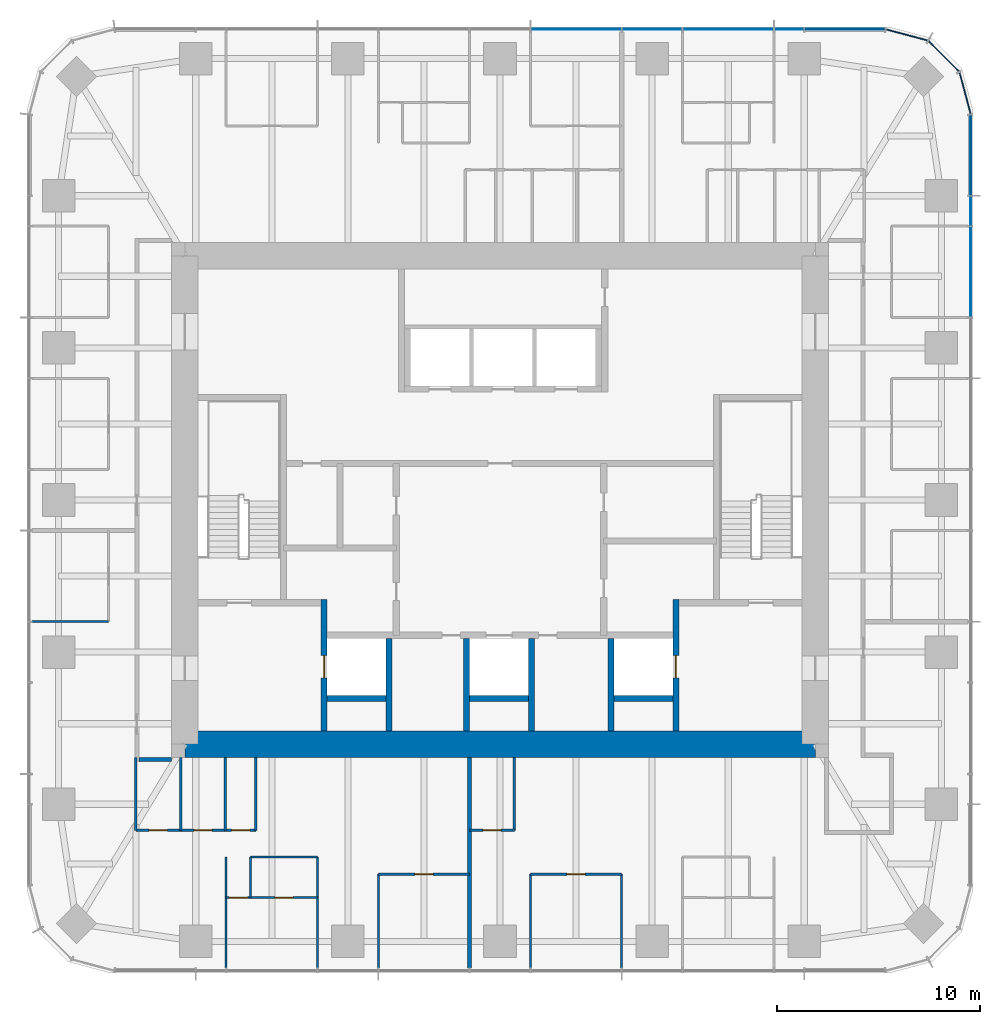
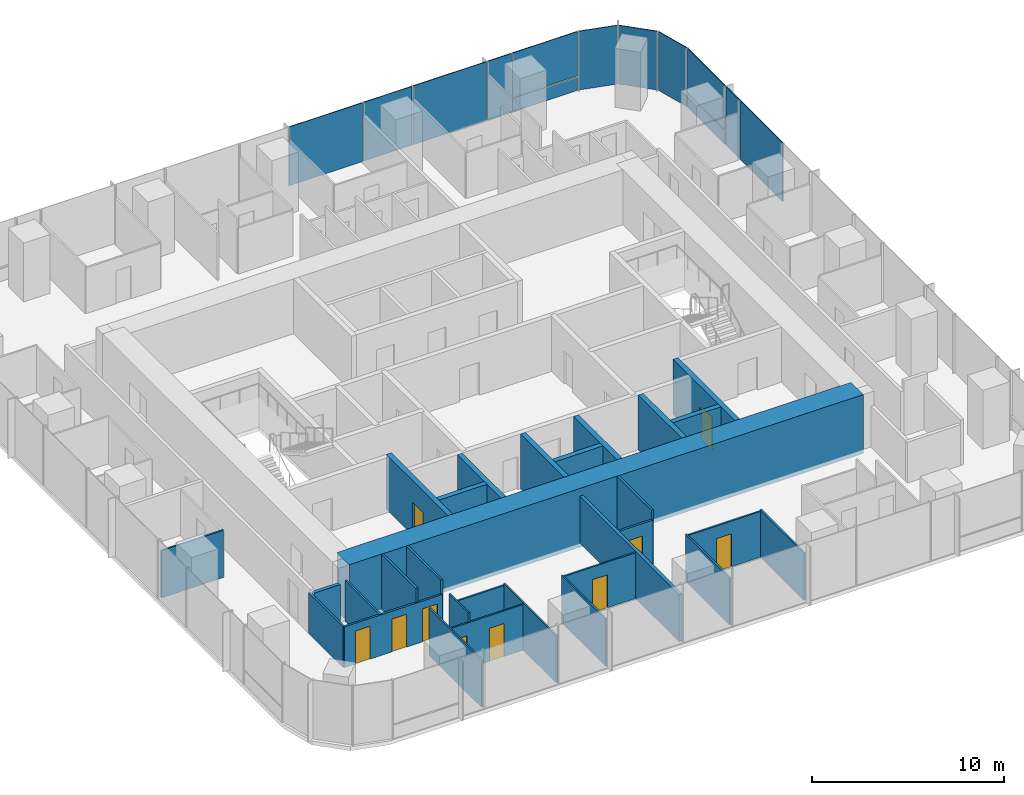
# One storey, part 8 of 12: 30 walls, 13 plates, 10 doors, 10 openings, 3 elements without a shape of their own.
"""IFC4 building model written with IfcOpenShell, lengths in metres."""

from ifc_helpers import new_model, si_unit, direction, frame, frame_2d, origin, origin_2d, place, context, subcontext, project, spatial, rectangle, extrude, material, layer, layer_set, type_object, element, fill, aggregate, save


model = new_model("IFC4")

# Units and contexts
model_context = context("Model", 3, precision=1e-05, world=origin(), true_north=direction((0.0, 1.0)))
body_context = subcontext(model_context, "Body", "Model", "MODEL_VIEW")
ifc_project = project(units=[si_unit("LENGTHUNIT", "METRE"), si_unit("AREAUNIT", "SQUARE_METRE"), si_unit("VOLUMEUNIT", "CUBIC_METRE"), si_unit("PLANEANGLEUNIT", "RADIAN"), si_unit("MASSUNIT", "GRAM", prefix="KILO")], contexts=[model_context])

# Site, building, storey
site_placement = place(None, origin())
site = spatial("IfcSite", under=ifc_project, at=site_placement, CompositionType="ELEMENT")
building_placement = place(site_placement, origin())
building = spatial("IfcBuilding", under=site, at=building_placement, Name="Khuree Lantern Residences", CompositionType="ELEMENT")
storey_placement = place(building_placement, frame((0.0, 0.0, 330.75)))
storey = spatial("IfcBuildingStorey", under=building, at=storey_placement, Name="L83", CompositionType="ELEMENT", Elevation=330.75)

# Curtain wall, plates
ifc_material_1 = material(Name="Bronze anodised aluminium", Category="aluminium")
curtain_wall_type_1 = type_object("IfcCurtainWallType", Name="CW-T2 TOWER CORNER CURTAIN WALL", PredefinedType="USERDEFINED", material=ifc_material_1)
curtain_wall_1_placement = place(storey_placement, origin())
curtain_wall_1 = element("IfcCurtainWall", 1, at=curtain_wall_1_placement, inside=storey, type_object=curtain_wall_type_1, Name="L83 NORTH-EAST CORNER CURTAIN WALL", ObjectType="Faceted corner curtain wall", PredefinedType="USERDEFINED")
ifc_material_2 = material(Name="Bronze tinted triple glazing", Category="glass")
ifc_layer_1 = layer(ifc_material_2, 0.048095703125)
ifc_layer_set_1 = layer_set([ifc_layer_1], Name="FACET PANEL P4")
plate_type_1 = type_object("IfcPlateType", Name="FACET PANEL P4", PredefinedType="CURTAIN_PANEL", material=ifc_layer_set_1)
plate_1_placement = place(storey_placement, frame((22.869140625, 19.998046875, 0.0), z_axis=(0.0, 0.0, 1.0), x_axis=(-0.2588189146, 0.965925861257, 0.0)))
plate_1 = element("IfcPlate", 2, at=plate_1_placement, type_object=plate_type_1, Name="L83 NORTH-EAST CORNER PANEL 15.1", PredefinedType="CURTAIN_PANEL", context=body_context, shape_type="SweptSolid", body=[
    extrude(rectangle(XDim=2.09814453125, YDim=0.048095703125, at=origin_2d()), origin(), (0.0, 0.0, 1.0), 3.75),
])
plate_2_placement = place(storey_placement, frame((21.818603515625, 21.818603515625, 0.0), z_axis=(0.0, 0.0, 1.0), x_axis=(-0.707106781187, 0.707106781187, 0.0)))
plate_2 = element("IfcPlate", 3, at=plate_2_placement, type_object=plate_type_1, Name="L83 NORTH-EAST CORNER PANEL 16.1", PredefinedType="CURTAIN_PANEL", context=body_context, shape_type="SweptSolid", body=[
    extrude(rectangle(XDim=2.093994140625, YDim=0.048095703125, at=origin_2d()), origin(), (0.0, 0.0, 1.0), 3.75),
])
plate_3_placement = place(storey_placement, frame((19.998046875, 22.869140625, 0.0), z_axis=(0.0, 0.0, 1.0), x_axis=(-0.965925861257, 0.2588189146, 0.0)))
plate_3 = element("IfcPlate", 4, at=plate_3_placement, type_object=plate_type_1, Name="L83 NORTH-EAST CORNER PANEL 17.1", PredefinedType="CURTAIN_PANEL", context=body_context, shape_type="SweptSolid", body=[
    extrude(rectangle(XDim=2.09814453125, YDim=0.048095703125, at=origin_2d()), origin(), (0.0, 0.0, 1.0), 3.75),
])
aggregate(curtain_wall_1, [plate_1, plate_2, plate_3])

# Curtain wall, plate
curtain_wall_type_2 = type_object("IfcCurtainWallType", Name="CW-T1 TOWER FACE CURTAIN WALL", PredefinedType="USERDEFINED", material=ifc_material_1)
curtain_wall_2_placement = place(storey_placement, origin())
curtain_wall_2 = element("IfcCurtainWall", 5, at=curtain_wall_2_placement, inside=storey, type_object=curtain_wall_type_2, Name="L83 EAST FACE CURTAIN WALL", ObjectType="Stick-built curtain wall", PredefinedType="USERDEFINED")
ifc_material_3 = material(Name="Bronze tinted triple glazing with a ceramic-fritted spandrel band", Category="glass")
ifc_layer_2 = layer(ifc_material_3, 0.048095703125)
ifc_layer_set_2 = layer_set([ifc_layer_2], Name="FIXED LIGHT PANEL P11")
plate_type_2 = type_object("IfcPlateType", Name="FIXED LIGHT PANEL P11", PredefinedType="CURTAIN_PANEL", material=ifc_layer_set_2)
plate_4_placement = place(storey_placement, frame((23.14990234375, 11.219970703125, 0.0), z_axis=(0.0, 0.0, 1.0), x_axis=(0.0, 1.0, 0.0)))
plate_4 = element("IfcPlate", 6, at=plate_4_placement, type_object=plate_type_2, Name="L83 EAST FACE PANEL 12.1", PredefinedType="CURTAIN_PANEL", context=body_context, shape_type="SweptSolid", body=[
    extrude(rectangle(XDim=4.423095703125, YDim=0.048095703125, at=origin_2d()), origin(), (0.0, 0.0, 1.0), 3.75),
])

# Curtain wall, plates
curtain_wall_3_placement = place(storey_placement, origin())
curtain_wall_3 = element("IfcCurtainWall", 7, at=curtain_wall_3_placement, inside=storey, type_object=curtain_wall_type_2, Name="L83 NORTH FACE CURTAIN WALL", ObjectType="Stick-built curtain wall", PredefinedType="USERDEFINED")
plate_5_placement = place(storey_placement, frame((11.219970703125, 23.14990234375, 0.0), z_axis=(0.0, 0.0, 1.0), x_axis=(-1.0, 0.0, 0.0)))
plate_5 = element("IfcPlate", 8, at=plate_5_placement, type_object=plate_type_2, Name="L83 NORTH FACE PANEL 20.1", PredefinedType="CURTAIN_PANEL", context=body_context, shape_type="SweptSolid", body=[
    extrude(rectangle(XDim=4.423095703125, YDim=0.048095703125, at=origin_2d()), origin(), (0.0, 0.0, 1.0), 3.75),
])
plate_6_placement = place(storey_placement, frame((3.739990234375, 23.14990234375, 0.0), z_axis=(0.0, 0.0, 1.0), x_axis=(-1.0, 0.0, 0.0)))
plate_6 = element("IfcPlate", 9, at=plate_6_placement, type_object=plate_type_2, Name="L83 NORTH FACE PANEL 22.1", PredefinedType="CURTAIN_PANEL", context=body_context, shape_type="SweptSolid", body=[
    extrude(rectangle(XDim=4.423095703125, YDim=0.048095703125, at=origin_2d()), origin(), (0.0, 0.0, 1.0), 3.75),
])
ifc_material_4 = material(Name="Bronze tinted triple glazing, two aluminium-framed sashes in one frame", Category="aluminium")
ifc_layer_3 = layer(ifc_material_4, 0.048095703125)
ifc_layer_set_3 = layer_set([ifc_layer_3], Name="SASH PAIR PANEL P12")
plate_type_3 = type_object("IfcPlateType", Name="SASH PAIR PANEL P12", PredefinedType="CURTAIN_PANEL", material=ifc_layer_set_3)
plate_7_placement = place(storey_placement, frame((7.47998046875, 23.14990234375, 0.0), z_axis=(0.0, 0.0, 1.0), x_axis=(-1.0, 0.0, 0.0)))
plate_7 = element("IfcPlate", 10, at=plate_7_placement, type_object=plate_type_3, Name="L83 NORTH FACE PANEL 21.1", PredefinedType="CURTAIN_PANEL", context=body_context, shape_type="SweptSolid", body=[
    extrude(rectangle(XDim=2.927001953125, YDim=0.048095703125, at=origin_2d()), origin(), (0.0, 0.0, 1.0), 3.75),
])

# Plate
ifc_material_5 = material(Name="Bronze tinted triple glazing, aluminium-framed sash", Category="aluminium")
ifc_layer_4 = layer(ifc_material_5, 0.048095703125)
ifc_layer_set_4 = layer_set([ifc_layer_4], Name="SASH PANEL P3")
plate_type_4 = type_object("IfcPlateType", Name="SASH PANEL P3", PredefinedType="CURTAIN_PANEL", material=ifc_layer_set_4)
plate_8_placement = place(storey_placement, frame((23.14990234375, 14.2119140625, 0.0), z_axis=(0.0, 0.0, 1.0), x_axis=(0.0, 1.0, 0.0)))
plate_8 = element("IfcPlate", 11, at=plate_8_placement, type_object=plate_type_4, Name="L83 EAST FACE PANEL 13.1", PredefinedType="CURTAIN_PANEL", context=body_context, shape_type="SweptSolid", body=[
    extrude(rectangle(XDim=1.430908203125, YDim=0.048095703125, at=origin_2d()), origin(), (0.0, 0.0, 1.0), 3.75),
])

plate_9_placement = place(storey_placement, frame((14.2119140625, 23.14990234375, 0.0), z_axis=(0.0, 0.0, 1.0), x_axis=(-1.0, 0.0, 0.0)))
plate_9 = element("IfcPlate", 12, at=plate_9_placement, type_object=plate_type_4, Name="L83 NORTH FACE PANEL 19.1", PredefinedType="CURTAIN_PANEL", context=body_context, shape_type="SweptSolid", body=[
    extrude(rectangle(XDim=1.430908203125, YDim=0.048095703125, at=origin_2d()), origin(), (0.0, 0.0, 1.0), 3.75),
])

ifc_material_6 = material(Name="Bronze anodised aluminium insulated spandrel", Category="aluminium")
ifc_layer_5 = layer(ifc_material_6, 0.06005859375)
ifc_layer_set_5 = layer_set([ifc_layer_5], Name="SPANDREL PANEL P2")
plate_type_5 = type_object("IfcPlateType", Name="SPANDREL PANEL P2", PredefinedType="CURTAIN_PANEL", material=ifc_layer_set_5)
plate_10_placement = place(storey_placement, frame((23.14990234375, 16.952880859375, 0.0), z_axis=(0.0, 0.0, 1.0), x_axis=(0.0, 1.0, 0.0)))
plate_10 = element("IfcPlate", 13, at=plate_10_placement, type_object=plate_type_5, Name="L83 EAST FACE PANEL 14.1", PredefinedType="CURTAIN_PANEL", context=body_context, shape_type="SweptSolid", body=[
    extrude(rectangle(XDim=3.920654296875, YDim=0.06005859375, at=origin_2d()), origin(), (0.0, 0.0, 1.0), 0.867431640625),
])

plate_11_placement = place(storey_placement, frame((16.952880859375, 23.14990234375, 0.0), z_axis=(0.0, 0.0, 1.0), x_axis=(-1.0, 0.0, 0.0)))
plate_11 = element("IfcPlate", 14, at=plate_11_placement, type_object=plate_type_5, Name="L83 NORTH FACE PANEL 18.1", PredefinedType="CURTAIN_PANEL", context=body_context, shape_type="SweptSolid", body=[
    extrude(rectangle(XDim=3.920654296875, YDim=0.06005859375, at=origin_2d()), origin(), (0.0, 0.0, 1.0), 0.867431640625),
])

ifc_layer_6 = layer(ifc_material_2, 0.048095703125)
ifc_layer_set_6 = layer_set([ifc_layer_6], Name="VISION PANEL P1")
plate_type_6 = type_object("IfcPlateType", Name="VISION PANEL P1", PredefinedType="CURTAIN_PANEL", material=ifc_layer_set_6)
plate_12_placement = place(storey_placement, frame((23.14990234375, 16.953369140625, 0.9326171875), z_axis=(0.0, 0.0, 1.0), x_axis=(0.0, 1.0, 0.0)))
plate_12 = element("IfcPlate", 15, at=plate_12_placement, type_object=plate_type_6, Name="L83 EAST FACE PANEL 14.2", PredefinedType="CURTAIN_PANEL", context=body_context, shape_type="SweptSolid", body=[
    extrude(rectangle(XDim=3.921630859375, YDim=0.048095703125, at=origin_2d()), origin(), (0.0, 0.0, 1.0), 2.8173828125),
])

aggregate(curtain_wall_2, [plate_4, plate_8, plate_10, plate_12])

plate_13_placement = place(storey_placement, frame((16.953369140625, 23.14990234375, 0.9326171875), z_axis=(0.0, 0.0, 1.0), x_axis=(-1.0, 0.0, 0.0)))
plate_13 = element("IfcPlate", 16, at=plate_13_placement, type_object=plate_type_6, Name="L83 NORTH FACE PANEL 18.2", PredefinedType="CURTAIN_PANEL", context=body_context, shape_type="SweptSolid", body=[
    extrude(rectangle(XDim=3.921630859375, YDim=0.048095703125, at=origin_2d()), origin(), (0.0, 0.0, 1.0), 2.8173828125),
])

aggregate(curtain_wall_3, [plate_11, plate_13, plate_9, plate_5, plate_7, plate_6])

# Wall, openings, doors
ifc_material_7 = material(Name="Moisture-resistant gypsum board on steel studs", Category="steel")
ifc_layer_7 = layer(ifc_material_7, 0.125)
ifc_layer_set_7 = layer_set([ifc_layer_7], Name="BATHROOM WALL BTW125")
wall_type_1 = type_object("IfcWallType", Name="BATHROOM WALL BTW125", PredefinedType="PARTITIONING", material=ifc_layer_set_7)
wall_1_placement = place(storey_placement, frame((-17.89990234375, -16.246337890625, 0.0), z_axis=(0.0, 0.0, 1.0), x_axis=(1.0, 0.0, 0.0)))
wall_1 = element("IfcWall", 17, at=wall_1_placement, inside=storey, type_object=wall_type_1, Name="L83 BATHROOM WALL 03", PredefinedType="PARTITIONING", context=body_context, shape_type="SweptSolid", body=[
    extrude(rectangle(XDim=5.89990234375, YDim=0.125, at=frame_2d((2.949951171875, 0.0))), origin(), (0.0, 0.0, 1.0), 2.60009765625),
])
opening_1_placement = place(wall_1_placement, frame((0.64990234375, 0.0, 0.0)))
opening_1 = element("IfcOpeningElement", 18, at=opening_1_placement, cuts=wall_1, Name="Opening 83-047", PredefinedType="OPENING", context=body_context, shape_type="SweptSolid", body=[
    extrude(rectangle(XDim=0.89990234375, YDim=2.10009765625, at=frame_2d((0.449951171875, 1.050048828125))), frame((0.0, 0.072509765625, 0.0), z_axis=(0.0, -1.0, 0.0), x_axis=(1.0, 0.0, 0.0)), (0.0, 0.0, 1.0), 0.14501953125),
])
opening_2_placement = place(wall_1_placement, frame((2.85009765625, 0.0, 0.0)))
opening_2 = element("IfcOpeningElement", 19, at=opening_2_placement, cuts=wall_1, Name="Opening 83-048", PredefinedType="OPENING", context=body_context, shape_type="SweptSolid", body=[
    extrude(rectangle(XDim=0.89990234375, YDim=2.10009765625, at=frame_2d((0.449951171875, 1.050048828125))), frame((0.0, 0.072509765625, 0.0), z_axis=(0.0, -1.0, 0.0), x_axis=(1.0, 0.0, 0.0)), (0.0, 0.0, 1.0), 0.14501953125),
])
opening_3_placement = place(wall_1_placement, frame((4.699951171875, 0.0, 0.0)))
opening_3 = element("IfcOpeningElement", 20, at=opening_3_placement, cuts=wall_1, Name="Opening 83-049", PredefinedType="OPENING", context=body_context, shape_type="SweptSolid", body=[
    extrude(rectangle(XDim=0.89990234375, YDim=2.10009765625, at=frame_2d((0.449951171875, 1.050048828125))), frame((0.0, 0.072509765625, 0.0), z_axis=(0.0, -1.0, 0.0), x_axis=(1.0, 0.0, 0.0)), (0.0, 0.0, 1.0), 0.14501953125),
])
ifc_material_8 = material(Name="Timber door leaf in hardwood frame", Category="wood")
door_type_1 = type_object("IfcDoorType", Name="BATHROOM DOOR 900X2100", OperationType="SINGLE_SWING_LEFT", PredefinedType="DOOR", material=ifc_material_8)
door_1_placement = place(opening_1_placement, origin())
door_1 = element("IfcDoor", 21, at=door_1_placement, inside=storey, type_object=door_type_1, Name="Bathroom door 83-047", OperationType="SINGLE_SWING_LEFT", OverallHeight=2.10009765625, OverallWidth=0.89990234375, PredefinedType="DOOR", context=body_context, shape_type="SweptSolid", body=[
    extrude(rectangle(XDim=0.89990234375, YDim=2.10009765625, at=frame_2d((0.449951171875, 1.050048828125))), frame((0.0, 0.02490234375, 0.0), z_axis=(0.0, -1.0, 0.0), x_axis=(1.0, 0.0, 0.0)), (0.0, 0.0, 1.0), 0.050048828125),
])
fill(opening_1, door_1)
door_2_placement = place(opening_2_placement, origin())
door_2 = element("IfcDoor", 22, at=door_2_placement, inside=storey, type_object=door_type_1, Name="Bathroom door 83-048", OperationType="SINGLE_SWING_LEFT", OverallHeight=2.10009765625, OverallWidth=0.89990234375, PredefinedType="DOOR", context=body_context, shape_type="SweptSolid", body=[
    extrude(rectangle(XDim=0.89990234375, YDim=2.10009765625, at=frame_2d((0.449951171875, 1.050048828125))), frame((0.0, 0.02490234375, 0.0), z_axis=(0.0, -1.0, 0.0), x_axis=(1.0, 0.0, 0.0)), (0.0, 0.0, 1.0), 0.050048828125),
])
fill(opening_2, door_2)
door_type_2 = type_object("IfcDoorType", Name="WC DOOR 900X2100", OperationType="SINGLE_SWING_LEFT", PredefinedType="DOOR", material=ifc_material_8)
door_3_placement = place(opening_3_placement, origin())
door_3 = element("IfcDoor", 23, at=door_3_placement, inside=storey, type_object=door_type_2, Name="WC door 83-049", OperationType="SINGLE_SWING_LEFT", OverallHeight=2.10009765625, OverallWidth=0.89990234375, PredefinedType="DOOR", context=body_context, shape_type="SweptSolid", body=[
    extrude(rectangle(XDim=0.89990234375, YDim=2.10009765625, at=frame_2d((0.449951171875, 1.050048828125))), frame((0.0, 0.02490234375, 0.0), z_axis=(0.0, -1.0, 0.0), x_axis=(1.0, 0.0, 0.0)), (0.0, 0.0, 1.0), 0.050048828125),
])
fill(opening_3, door_3)

# Walls
for number, where, z_axis, x_axis, name in (
    (24, (-17.89990234375, -12.64990234375, 0.0), (0.0, 0.0, 1.0), (0.0, -1.0, 0.0), "L83 BATHROOM WALL 03"),
    (25, (-15.699951171875, -12.64990234375, 0.0), (0.0, 0.0, 1.0), (0.0, -1.0, 0.0), "L83 BATHROOM WALL 03"),
):
    element("IfcWall", number, at=place(storey_placement, frame(where, z_axis=z_axis, x_axis=x_axis)), inside=storey, type_object=wall_type_1, Name=name, PredefinedType="PARTITIONING", context=body_context, shape_type="SweptSolid", body=[
        extrude(rectangle(XDim=3.596435546875, YDim=0.125, at=frame_2d((1.79833984375, 0.0))), origin(), (0.0, 0.0, 1.0), 2.60009765625),
    ])
for number, where, z_axis, x_axis, name in (
    (26, (-13.5, -12.64990234375, 0.0), (0.0, 0.0, 1.0), (0.0, -1.0, 0.0), "L83 BATHROOM WALL 03"),
    (27, (-12.0, -12.64990234375, 0.0), (0.0, 0.0, 1.0), (0.0, -1.0, 0.0), "L83 BATHROOM WALL 03"),
):
    element("IfcWall", number, at=place(storey_placement, frame(where, z_axis=z_axis, x_axis=x_axis)), inside=storey, type_object=wall_type_1, Name=name, PredefinedType="PARTITIONING", context=body_context, shape_type="SweptSolid", body=[
        extrude(rectangle(XDim=3.596435546875, YDim=0.125, at=frame_2d((1.79833984375, 0.0))), origin(), (0.0, 0.0, 1.0), 3.5),
    ])

# Wall, opening, door
wall_2_placement = place(storey_placement, frame((-1.49609375, -16.246337890625, 0.0), z_axis=(0.0, 0.0, 1.0), x_axis=(1.0, 0.0, 0.0)))
wall_2 = element("IfcWall", 28, at=wall_2_placement, inside=storey, type_object=wall_type_1, Name="L83 BATHROOM WALL 04", PredefinedType="PARTITIONING", context=body_context, shape_type="SweptSolid", body=[
    extrude(rectangle(XDim=2.2001953125, YDim=0.125, at=frame_2d((1.10009765625, 0.0))), origin(), (0.0, 0.0, 1.0), 2.89990234375),
])
opening_4_placement = place(wall_2_placement, frame((0.64990234375, 0.0, 0.0)))
opening_4 = element("IfcOpeningElement", 29, at=opening_4_placement, cuts=wall_2, Name="Opening 83-054", PredefinedType="OPENING", context=body_context, shape_type="SweptSolid", body=[
    extrude(rectangle(XDim=0.89990234375, YDim=2.10009765625, at=frame_2d((0.449951171875, 1.050048828125))), frame((0.0, 0.072509765625, 0.0), z_axis=(0.0, -1.0, 0.0), x_axis=(1.0, 0.0, 0.0)), (0.0, 0.0, 1.0), 0.14501953125),
])
door_4_placement = place(opening_4_placement, origin())
door_4 = element("IfcDoor", 30, at=door_4_placement, inside=storey, type_object=door_type_1, Name="Bathroom door 83-054", OperationType="SINGLE_SWING_LEFT", OverallHeight=2.10009765625, OverallWidth=0.89990234375, PredefinedType="DOOR", context=body_context, shape_type="SweptSolid", body=[
    extrude(rectangle(XDim=0.89990234375, YDim=2.10009765625, at=frame_2d((0.449951171875, 1.050048828125))), frame((0.0, 0.02490234375, 0.0), z_axis=(0.0, -1.0, 0.0), x_axis=(1.0, 0.0, 0.0)), (0.0, 0.0, 1.0), 0.050048828125),
])
fill(opening_4, door_4)

# Wall
wall_3_placement = place(storey_placement, frame((0.7041015625, -12.64990234375, 0.0), z_axis=(0.0, 0.0, 1.0), x_axis=(0.0, -1.0, 0.0)))
element("IfcWall", 31, at=wall_3_placement, inside=storey, type_object=wall_type_1, Name="L83 BATHROOM WALL 04", PredefinedType="PARTITIONING", context=body_context, shape_type="SweptSolid", body=[
    extrude(rectangle(XDim=3.596435546875, YDim=0.125, at=frame_2d((1.79833984375, 0.0))), origin(), (0.0, 0.0, 1.0), 3.5),
])

# Wall, opening, door
ifc_material_9 = material(Name="Dense concrete blockwork", Category="masonry")
ifc_layer_8 = layer(ifc_material_9, 0.300048828125)
ifc_layer_set_8 = layer_set([ifc_layer_8], Name="CORE PARTITION WALL CPW300 EI 120")
wall_type_2 = type_object("IfcWallType", Name="CORE PARTITION WALL CPW300 EI 120", PredefinedType="PARTITIONING", material=ifc_layer_set_8)
wall_4_placement = place(storey_placement, frame((-8.64990234375, -11.35009765625, 0.0), z_axis=(0.0, 0.0, 1.0), x_axis=(0.0, 1.0, 0.0)))
wall_4 = element("IfcWall", 32, at=wall_4_placement, inside=storey, type_object=wall_type_2, Name="L83 CORE WALL FL1W", PredefinedType="PARTITIONING", context=body_context, shape_type="SweptSolid", body=[
    extrude(rectangle(XDim=6.4501953125, YDim=0.300048828125, at=frame_2d((3.22509765625, 0.0))), origin(), (0.0, 0.0, 1.0), 3.5),
])
opening_5_placement = place(wall_4_placement, frame((2.60009765625, 0.0, 0.0)))
opening_5 = element("IfcOpeningElement", 33, at=opening_5_placement, cuts=wall_4, Name="Opening 83-007", PredefinedType="OPENING", context=body_context, shape_type="SweptSolid", body=[
    extrude(rectangle(XDim=1.10009765625, YDim=2.10009765625, at=frame_2d((0.550048828125, 1.050048828125))), frame((0.0, 0.16015625, 0.0), z_axis=(0.0, -1.0, 0.0), x_axis=(1.0, 0.0, 0.0)), (0.0, 0.0, 1.0), 0.320068359375),
])
ifc_material_10 = material(Name="Stainless steel lift landing door", Category="steel")
door_type_3 = type_object("IfcDoorType", Name="LIFT LANDING DOOR 1100X2100 E 120", OperationType="DOUBLE_DOOR_SLIDING", PredefinedType="DOOR", material=ifc_material_10)
door_5_placement = place(opening_5_placement, origin())
door_5 = element("IfcDoor", 34, at=door_5_placement, inside=storey, type_object=door_type_3, Name="Landing door FL1 83-007", OperationType="DOUBLE_DOOR_SLIDING", OverallHeight=2.10009765625, OverallWidth=1.10009765625, PredefinedType="DOOR", context=body_context, shape_type="SweptSolid", body=[
    extrude(rectangle(XDim=1.10009765625, YDim=2.10009765625, at=frame_2d((0.550048828125, 1.050048828125))), frame((0.0, 0.02490234375, 0.0), z_axis=(0.0, -1.0, 0.0), x_axis=(1.0, 0.0, 0.0)), (0.0, 0.0, 1.0), 0.050048828125),
])
fill(opening_5, door_5)

wall_5_placement = place(storey_placement, frame((8.64990234375, -11.35009765625, 0.0), z_axis=(0.0, 0.0, 1.0), x_axis=(0.0, 1.0, 0.0)))
wall_5 = element("IfcWall", 35, at=wall_5_placement, inside=storey, type_object=wall_type_2, Name="L83 CORE WALL FL2E", PredefinedType="PARTITIONING", context=body_context, shape_type="SweptSolid", body=[
    extrude(rectangle(XDim=6.4501953125, YDim=0.300048828125, at=frame_2d((3.22509765625, 0.0))), origin(), (0.0, 0.0, 1.0), 3.5),
])
opening_6_placement = place(wall_5_placement, frame((2.60009765625, 0.0, 0.0)))
opening_6 = element("IfcOpeningElement", 36, at=opening_6_placement, cuts=wall_5, Name="Opening 83-008", PredefinedType="OPENING", context=body_context, shape_type="SweptSolid", body=[
    extrude(rectangle(XDim=1.10009765625, YDim=2.10009765625, at=frame_2d((0.550048828125, 1.050048828125))), frame((0.0, 0.16015625, 0.0), z_axis=(0.0, -1.0, 0.0), x_axis=(1.0, 0.0, 0.0)), (0.0, 0.0, 1.0), 0.320068359375),
])
door_6_placement = place(opening_6_placement, origin())
door_6 = element("IfcDoor", 37, at=door_6_placement, inside=storey, type_object=door_type_3, Name="Landing door FL2 83-008", OperationType="DOUBLE_DOOR_SLIDING", OverallHeight=2.10009765625, OverallWidth=1.10009765625, PredefinedType="DOOR", context=body_context, shape_type="SweptSolid", body=[
    extrude(rectangle(XDim=1.10009765625, YDim=2.10009765625, at=frame_2d((0.550048828125, 1.050048828125))), frame((0.0, 0.02490234375, 0.0), z_axis=(0.0, -1.0, 0.0), x_axis=(1.0, 0.0, 0.0)), (0.0, 0.0, 1.0), 0.050048828125),
])
fill(opening_6, door_6)

# Walls
for number, where, z_axis, x_axis, name in (
    (38, (-5.449951171875, -11.35009765625, 0.0), (0.0, 0.0, 1.0), (0.0, 1.0, 0.0), "L83 CORE WALL FL1E"),
    (39, (-1.64990234375, -11.35009765625, 0.0), (0.0, 0.0, 1.0), (0.0, 1.0, 0.0), "L83 CORE WALL SL1W"),
    (40, (1.550048828125, -11.35009765625, 0.0), (0.0, 0.0, 1.0), (0.0, 1.0, 0.0), "L83 CORE WALL SL1E"),
    (41, (5.449951171875, -11.35009765625, 0.0), (0.0, 0.0, 1.0), (0.0, 1.0, 0.0), "L83 CORE WALL FL2W"),
):
    element("IfcWall", number, at=place(storey_placement, frame(where, z_axis=z_axis, x_axis=x_axis)), inside=storey, type_object=wall_type_2, Name=name, PredefinedType="PARTITIONING", context=body_context, shape_type="SweptSolid", body=[
        extrude(rectangle(XDim=4.550048828125, YDim=0.300048828125, at=frame_2d((2.27490234375, 0.0))), origin(), (0.0, 0.0, 1.0), 3.5),
    ])
for number, where, z_axis, x_axis, name in (
    (42, (-8.5, -9.75, 0.0), (0.0, 0.0, 1.0), (1.0, 0.0, 0.0), "L83 CORE WALL FL1S"),
    (43, (-1.5, -9.75, 0.0), (0.0, 0.0, 1.0), (1.0, 0.0, 0.0), "L83 CORE WALL SL1S"),
    (44, (5.60009765625, -9.75, 0.0), (0.0, 0.0, 1.0), (1.0, 0.0, 0.0), "L83 CORE WALL FL2S"),
):
    element("IfcWall", number, at=place(storey_placement, frame(where, z_axis=z_axis, x_axis=x_axis)), inside=storey, type_object=wall_type_2, Name=name, PredefinedType="PARTITIONING", context=body_context, shape_type="SweptSolid", body=[
        extrude(rectangle(XDim=2.89990234375, YDim=0.300048828125, at=frame_2d((1.449951171875, 0.0))), origin(), (0.0, 0.0, 1.0), 3.5),
    ])
ifc_material_11 = material(Name="Gypsum board on steel studs", Category="steel")
ifc_layer_9 = layer(ifc_material_11, 0.199951171875)
ifc_layer_set_9 = layer_set([ifc_layer_9], Name="CORRIDOR WALL CRW200 EI 60")
wall_type_3 = type_object("IfcWallType", Name="CORRIDOR WALL CRW200 EI 60", PredefinedType="PARTITIONING", material=ifc_layer_set_9)
wall_6_placement = place(storey_placement, frame((-16.14990234375, -12.75, 0.0), z_axis=(0.0, 0.0, 1.0), x_axis=(-1.0, 0.0, 0.0)))
element("IfcWall", 45, at=wall_6_placement, inside=storey, type_object=wall_type_3, Name="L83 WEST CORRIDOR SOUTH END WALL", PredefinedType="PARTITIONING", context=body_context, shape_type="SweptSolid", body=[
    extrude(rectangle(XDim=1.60009765625, YDim=0.199951171875, at=frame_2d((0.800048828125, 0.0))), origin(), (0.0, 0.0, 1.0), 2.60009765625),
])
ifc_material_12 = material(Name="Concrete C50/60", Category="concrete")
ifc_layer_10 = layer(ifc_material_12, 1.300048828125)
ifc_layer_set_10 = layer_set([ifc_layer_10], Name="CW1300-C50 CORE WALL C50 1300")
wall_type_4 = type_object("IfcWallType", Name="CW1300-C50 CORE WALL C50 1300", PredefinedType="SHEAR", material=ifc_layer_set_10)
wall_7_placement = place(storey_placement, frame((-15.5, -12.0, -0.25), z_axis=(0.0, 0.0, 1.0), x_axis=(1.0, 0.0, 0.0)))
element("IfcWall", 46, at=wall_7_placement, inside=storey, type_object=wall_type_4, Name="Core wall S", PredefinedType="SHEAR", context=body_context, shape_type="SweptSolid", body=[
    extrude(rectangle(XDim=31.0, YDim=1.300048828125, at=frame_2d((15.5, 0.0))), origin(), (0.0, 0.0, 1.0), 3.75),
])
ifc_layer_11 = layer(ifc_material_11, 0.199951171875)
ifc_layer_set_11 = layer_set([ifc_layer_11], Name="DEMISING WALL DMW200 EI 90")
wall_type_5 = type_object("IfcWallType", Name="DEMISING WALL DMW200 EI 90", PredefinedType="PARTITIONING", material=ifc_layer_set_11)
wall_8_placement = place(storey_placement, frame((-1.49609375, -12.64990234375, 0.0), z_axis=(0.0, 0.0, 1.0), x_axis=(0.0, -1.0, 0.0)))
element("IfcWall", 47, at=wall_8_placement, inside=storey, type_object=wall_type_5, Name="L83 DEMISING WALL 04", PredefinedType="PARTITIONING", context=body_context, shape_type="SweptSolid", body=[
    extrude(rectangle(XDim=10.35009765625, YDim=0.199951171875, at=frame_2d((5.175048828125, 0.0))), origin(), (0.0, 0.0, 1.0), 3.010009765625),
])
ifc_layer_12 = layer(ifc_material_11, 0.10009765625)
ifc_layer_set_12 = layer_set([ifc_layer_12], Name="PARTITION PT100")
wall_type_6 = type_object("IfcWallType", Name="PARTITION PT100", PredefinedType="PARTITIONING", material=ifc_layer_set_12)
wall_9_placement = place(storey_placement, frame((-19.25, -5.98388671875, 0.0), z_axis=(0.0, 0.0, 1.0), x_axis=(-1.0, 0.0, 0.0)))
element("IfcWall", 48, at=wall_9_placement, inside=storey, type_object=wall_type_6, Name="L83 PARTITION 03", PredefinedType="PARTITIONING", context=body_context, shape_type="SweptSolid", body=[
    extrude(rectangle(XDim=3.75, YDim=0.10009765625, at=frame_2d((1.875, 0.0))), origin(), (0.0, 0.0, 1.0), 3.010009765625),
])
for number, where, z_axis, x_axis, name in (
    (49, (-13.464111328125, -17.54638671875, 0.0), (0.0, 0.0, 1.0), (0.0, -1.0, 0.0), "L83 PARTITION 03"),
    (50, (-8.97607421875, -17.54638671875, 0.0), (0.0, 0.0, 1.0), (0.0, -1.0, 0.0), "L83 PARTITION 03"),
):
    element("IfcWall", number, at=place(storey_placement, frame(where, z_axis=z_axis, x_axis=x_axis)), inside=storey, type_object=wall_type_6, Name=name, PredefinedType="PARTITIONING", context=body_context, shape_type="SweptSolid", body=[
        extrude(rectangle(XDim=5.45361328125, YDim=0.10009765625, at=frame_2d((2.726806640625, 0.0))), origin(), (0.0, 0.0, 1.0), 3.010009765625),
    ])
for number, where, z_axis, x_axis, name in (
    (51, (-5.98388671875, -18.39990234375, 0.0), (0.0, 0.0, 1.0), (0.0, -1.0, 0.0), "L83 PARTITION 03"),
    (52, (1.49609375, -18.39990234375, 0.0), (0.0, 0.0, 1.0), (0.0, -1.0, 0.0), "L83 PARTITION 04"),
    (53, (5.98388671875, -18.39990234375, 0.0), (0.0, 0.0, 1.0), (0.0, -1.0, 0.0), "L83 PARTITION 04"),
):
    element("IfcWall", number, at=place(storey_placement, frame(where, z_axis=z_axis, x_axis=x_axis)), inside=storey, type_object=wall_type_6, Name=name, PredefinedType="PARTITIONING", context=body_context, shape_type="SweptSolid", body=[
        extrude(rectangle(XDim=4.60009765625, YDim=0.10009765625, at=frame_2d((2.300048828125, 0.0))), origin(), (0.0, 0.0, 1.0), 3.010009765625),
    ])

# Wall, openings, doors
wall_10_placement = place(storey_placement, frame((-13.464111328125, -19.54638671875, 0.0), z_axis=(0.0, 0.0, 1.0), x_axis=(1.0, 0.0, 0.0)))
wall_10 = element("IfcWall", 54, at=wall_10_placement, inside=storey, type_object=wall_type_6, Name="L83 PARTITION 03", PredefinedType="PARTITIONING", context=body_context, shape_type="SweptSolid", body=[
    extrude(rectangle(XDim=4.488037109375, YDim=0.10009765625, at=frame_2d((2.244140625, 0.0))), origin(), (0.0, 0.0, 1.0), 2.909912109375),
])
opening_7_placement = place(wall_10_placement, frame((0.14990234375, 0.0, 0.0)))
opening_7 = element("IfcOpeningElement", 55, at=opening_7_placement, cuts=wall_10, Name="Opening 83-044", PredefinedType="OPENING", context=body_context, shape_type="SweptSolid", body=[
    extrude(rectangle(XDim=0.89990234375, YDim=2.10009765625, at=frame_2d((0.449951171875, 1.050048828125))), frame((0.0, 0.06005859375, 0.0), z_axis=(0.0, -1.0, 0.0), x_axis=(1.0, 0.0, 0.0)), (0.0, 0.0, 1.0), 0.1201171875),
])
opening_8_placement = place(wall_10_placement, frame((2.39404296875, 0.0, 0.0)))
opening_8 = element("IfcOpeningElement", 56, at=opening_8_placement, cuts=wall_10, Name="Opening 83-045", PredefinedType="OPENING", context=body_context, shape_type="SweptSolid", body=[
    extrude(rectangle(XDim=0.89990234375, YDim=2.10009765625, at=frame_2d((0.449951171875, 1.050048828125))), frame((0.0, 0.06005859375, 0.0), z_axis=(0.0, -1.0, 0.0), x_axis=(1.0, 0.0, 0.0)), (0.0, 0.0, 1.0), 0.1201171875),
])
door_type_4 = type_object("IfcDoorType", Name="BEDROOM DOOR 900X2100", OperationType="SINGLE_SWING_LEFT", PredefinedType="DOOR", material=ifc_material_8)
door_7_placement = place(opening_7_placement, origin())
door_7 = element("IfcDoor", 57, at=door_7_placement, inside=storey, type_object=door_type_4, Name="Bedroom door 83-044", OperationType="SINGLE_SWING_LEFT", OverallHeight=2.10009765625, OverallWidth=0.89990234375, PredefinedType="DOOR", context=body_context, shape_type="SweptSolid", body=[
    extrude(rectangle(XDim=0.89990234375, YDim=2.10009765625, at=frame_2d((0.449951171875, 1.050048828125))), frame((0.0, 0.02490234375, 0.0), z_axis=(0.0, -1.0, 0.0), x_axis=(1.0, 0.0, 0.0)), (0.0, 0.0, 1.0), 0.050048828125),
])
fill(opening_7, door_7)
door_type_5 = type_object("IfcDoorType", Name="DOOR 900X2100", OperationType="SINGLE_SWING_LEFT", PredefinedType="DOOR", material=ifc_material_8)
door_8_placement = place(opening_8_placement, origin())
door_8 = element("IfcDoor", 58, at=door_8_placement, inside=storey, type_object=door_type_5, Name="Wardrobe door 83-045", OperationType="SINGLE_SWING_LEFT", OverallHeight=2.10009765625, OverallWidth=0.89990234375, PredefinedType="DOOR", context=body_context, shape_type="SweptSolid", body=[
    extrude(rectangle(XDim=0.89990234375, YDim=2.10009765625, at=frame_2d((0.449951171875, 1.050048828125))), frame((0.0, 0.02490234375, 0.0), z_axis=(0.0, -1.0, 0.0), x_axis=(1.0, 0.0, 0.0)), (0.0, 0.0, 1.0), 0.050048828125),
])
fill(opening_8, door_8)

# Walls
wall_11_placement = place(storey_placement, frame((-12.263916015625, -17.54638671875, 0.0), z_axis=(0.0, 0.0, 1.0), x_axis=(0.0, -1.0, 0.0)))
element("IfcWall", 59, at=wall_11_placement, inside=storey, type_object=wall_type_6, Name="L83 PARTITION 03", PredefinedType="PARTITIONING", context=body_context, shape_type="SweptSolid", body=[
    extrude(rectangle(XDim=2.0, YDim=0.10009765625, at=frame_2d((1.0, 0.0))), origin(), (0.0, 0.0, 1.0), 3.5),
])
wall_12_placement = place(storey_placement, frame((-12.263916015625, -17.54638671875, 0.0), z_axis=(0.0, 0.0, 1.0), x_axis=(1.0, 0.0, 0.0)))
element("IfcWall", 60, at=wall_12_placement, inside=storey, type_object=wall_type_6, Name="L83 PARTITION 03", PredefinedType="PARTITIONING", context=body_context, shape_type="SweptSolid", body=[
    extrude(rectangle(XDim=3.287841796875, YDim=0.10009765625, at=frame_2d((1.64404296875, 0.0))), origin(), (0.0, 0.0, 1.0), 2.909912109375),
])

# Wall, opening, door
wall_13_placement = place(storey_placement, frame((-5.98388671875, -18.39990234375, 0.0), z_axis=(0.0, 0.0, 1.0), x_axis=(1.0, 0.0, 0.0)))
wall_13 = element("IfcWall", 61, at=wall_13_placement, inside=storey, type_object=wall_type_6, Name="L83 PARTITION 03", PredefinedType="PARTITIONING", context=body_context, shape_type="SweptSolid", body=[
    extrude(rectangle(XDim=4.48779296875, YDim=0.10009765625, at=frame_2d((2.243896484375, 0.0))), origin(), (0.0, 0.0, 1.0), 2.909912109375),
])
opening_9_placement = place(wall_13_placement, frame((1.7939453125, 0.0, 0.0)))
opening_9 = element("IfcOpeningElement", 62, at=opening_9_placement, cuts=wall_13, Name="Opening 83-046", PredefinedType="OPENING", context=body_context, shape_type="SweptSolid", body=[
    extrude(rectangle(XDim=0.89990234375, YDim=2.10009765625, at=frame_2d((0.449951171875, 1.050048828125))), frame((0.0, 0.06005859375, 0.0), z_axis=(0.0, -1.0, 0.0), x_axis=(1.0, 0.0, 0.0)), (0.0, 0.0, 1.0), 0.1201171875),
])
door_type_6 = type_object("IfcDoorType", Name="BEDROOM DOOR 900X2100 RIGHT HAND", OperationType="SINGLE_SWING_RIGHT", PredefinedType="DOOR", material=ifc_material_8)
door_9_placement = place(opening_9_placement, origin())
door_9 = element("IfcDoor", 63, at=door_9_placement, inside=storey, type_object=door_type_6, Name="Bedroom door 83-046", OperationType="SINGLE_SWING_RIGHT", OverallHeight=2.10009765625, OverallWidth=0.89990234375, PredefinedType="DOOR", context=body_context, shape_type="SweptSolid", body=[
    extrude(rectangle(XDim=0.89990234375, YDim=2.10009765625, at=frame_2d((0.449951171875, 1.050048828125))), frame((0.0, 0.02490234375, 0.0), z_axis=(0.0, -1.0, 0.0), x_axis=(1.0, 0.0, 0.0)), (0.0, 0.0, 1.0), 0.050048828125),
])
fill(opening_9, door_9)

wall_14_placement = place(storey_placement, frame((1.49609375, -18.39990234375, 0.0), z_axis=(0.0, 0.0, 1.0), x_axis=(1.0, 0.0, 0.0)))
wall_14 = element("IfcWall", 64, at=wall_14_placement, inside=storey, type_object=wall_type_6, Name="L83 PARTITION 04", PredefinedType="PARTITIONING", context=body_context, shape_type="SweptSolid", body=[
    extrude(rectangle(XDim=4.48779296875, YDim=0.10009765625, at=frame_2d((2.243896484375, 0.0))), origin(), (0.0, 0.0, 1.0), 2.909912109375),
])
opening_10_placement = place(wall_14_placement, frame((1.7939453125, 0.0, 0.0)))
opening_10 = element("IfcOpeningElement", 65, at=opening_10_placement, cuts=wall_14, Name="Opening 83-051", PredefinedType="OPENING", context=body_context, shape_type="SweptSolid", body=[
    extrude(rectangle(XDim=0.89990234375, YDim=2.10009765625, at=frame_2d((0.449951171875, 1.050048828125))), frame((0.0, 0.06005859375, 0.0), z_axis=(0.0, -1.0, 0.0), x_axis=(1.0, 0.0, 0.0)), (0.0, 0.0, 1.0), 0.1201171875),
])
door_10_placement = place(opening_10_placement, origin())
door_10 = element("IfcDoor", 66, at=door_10_placement, inside=storey, type_object=door_type_4, Name="Bedroom door 83-051", OperationType="SINGLE_SWING_LEFT", OverallHeight=2.10009765625, OverallWidth=0.89990234375, PredefinedType="DOOR", context=body_context, shape_type="SweptSolid", body=[
    extrude(rectangle(XDim=0.89990234375, YDim=2.10009765625, at=frame_2d((0.449951171875, 1.050048828125))), frame((0.0, 0.02490234375, 0.0), z_axis=(0.0, -1.0, 0.0), x_axis=(1.0, 0.0, 0.0)), (0.0, 0.0, 1.0), 0.050048828125),
])
fill(opening_10, door_10)

save(model, "model.ifc")
